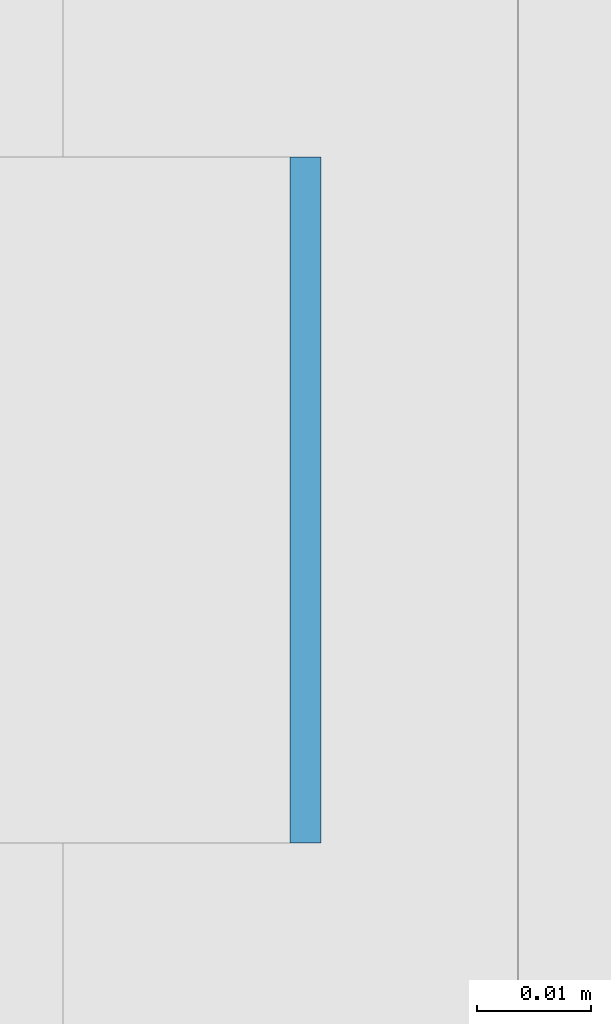
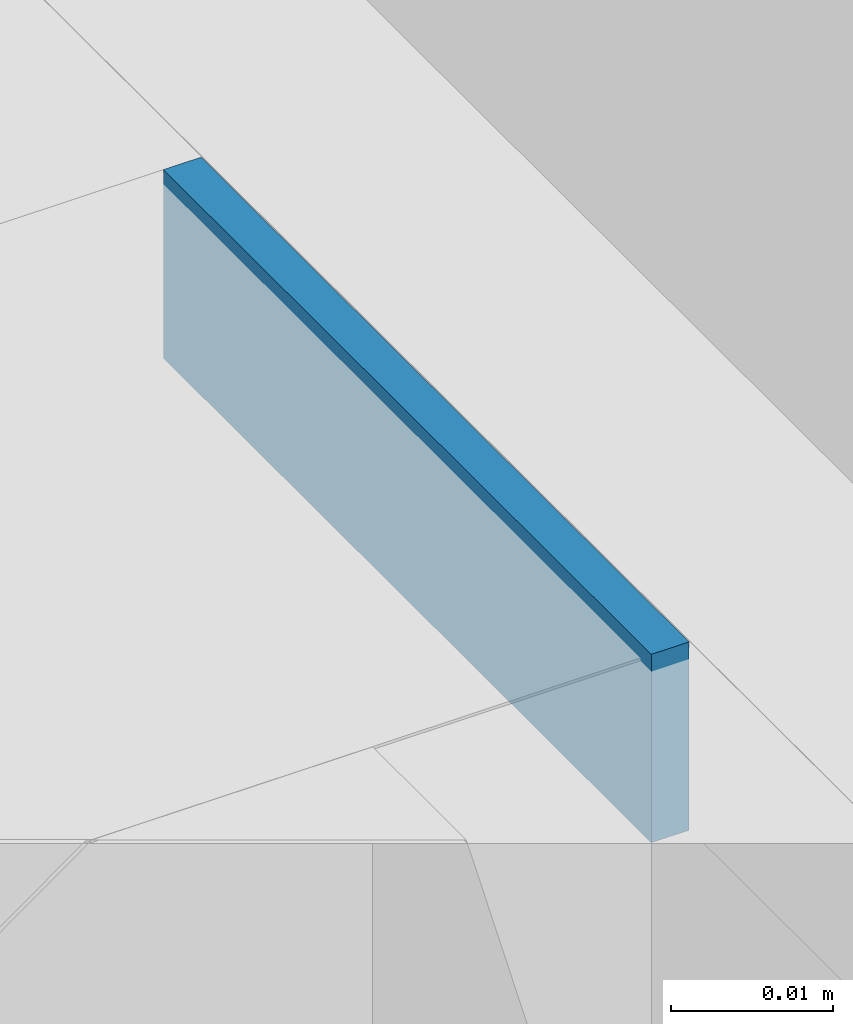
# One storey, part 335 of 646: 1 discrete accessory.
"""IFC4 building model written with IfcOpenShell, lengths in metres."""

from ifc_helpers import new_model, si_unit, direction, frame, origin, origin_2d, place, context, subcontext, project, spatial, rectangle, extrude, material, type_object, element, save


model = new_model("IFC4")

# Units and contexts
model_context = context("Model", 3, precision=1e-05, world=origin(), true_north=direction((0.0, 1.0)))
body_context = subcontext(model_context, "Body", "Model", "MODEL_VIEW")
ifc_project = project(units=[si_unit("LENGTHUNIT", "METRE"), si_unit("AREAUNIT", "SQUARE_METRE"), si_unit("VOLUMEUNIT", "CUBIC_METRE"), si_unit("PLANEANGLEUNIT", "RADIAN"), si_unit("MASSUNIT", "GRAM", prefix="KILO")], contexts=[model_context])

# Site, building, storey
site_placement = place(None, origin())
site = spatial("IfcSite", under=ifc_project, at=site_placement, CompositionType="ELEMENT")
building_placement = place(site_placement, origin())
building = spatial("IfcBuilding", under=site, at=building_placement, Name="Silverbay Arena", CompositionType="ELEMENT")
storey_placement = place(building_placement, frame((0.0, 0.0, 33.5)))
storey = spatial("IfcBuildingStorey", under=building, at=storey_placement, Name="L05", CompositionType="ELEMENT", Elevation=33.5)

# Discrete accessory
ifc_material = material(Name="Steel S355", Category="steel")
discrete_accessory_type = type_object("IfcDiscreteAccessoryType", Name="Steel bracket plate", PredefinedType="BRACKET", material=ifc_material)
discrete_accessory_placement = place(storey_placement, frame((53.871337890625, 82.28564453125, 12.98583984375), z_axis=(0.0, 0.0, 1.0), x_axis=(1.0, 0.0, 0.0)))
element("IfcDiscreteAccessory", 1, at=discrete_accessory_placement, inside=storey, type_object=discrete_accessory_type, Name="Curtain wall packing plate", PredefinedType="BRACKET", context=body_context, shape_type="SweptSolid", body=[
    extrude(rectangle(XDim=0.002685546875, YDim=0.06005859375, at=origin_2d()), origin(), (0.0, 0.0, 1.0), 0.01416015625),
])

save(model, "model.ifc")
